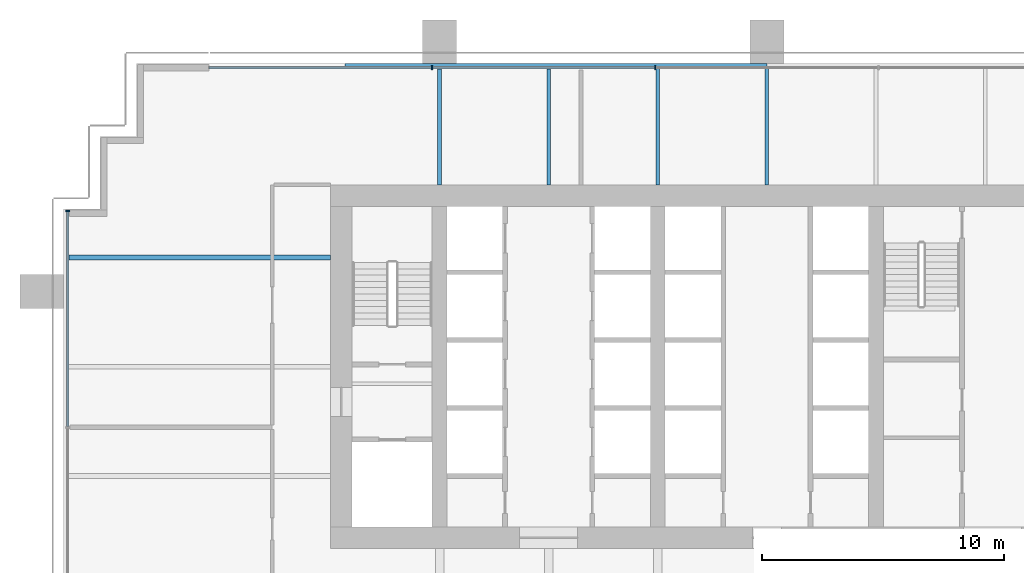
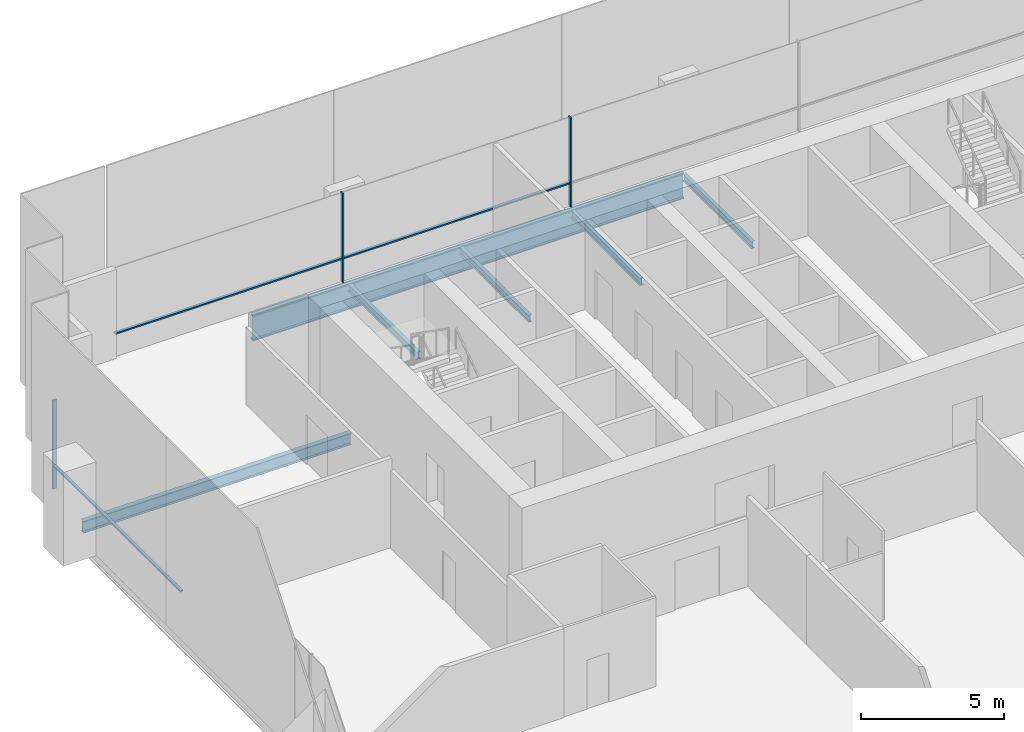
# One storey, part 7 of 16: 6 beams, 6 members, 2 elements without a shape of their own.
"""IFC4 building model written with IfcOpenShell, lengths in metres."""

from ifc_helpers import new_model, si_unit, direction, frame, origin, origin_2d, place, context, subcontext, project, spatial, rectangle, i_section, extrude, material, material_profile, profile_set, type_object, element, aggregate, save


model = new_model("IFC4")

# Units and contexts
model_context = context("Model", 3, precision=1e-05, world=origin(), true_north=direction((0.0, 1.0)))
body_context = subcontext(model_context, "Body", "Model", "MODEL_VIEW")
ifc_project = project(units=[si_unit("LENGTHUNIT", "METRE"), si_unit("AREAUNIT", "SQUARE_METRE"), si_unit("VOLUMEUNIT", "CUBIC_METRE"), si_unit("PLANEANGLEUNIT", "RADIAN"), si_unit("MASSUNIT", "GRAM", prefix="KILO")], contexts=[model_context])

# Site, building, storey
site_placement = place(None, origin())
site = spatial("IfcSite", under=ifc_project, at=site_placement, CompositionType="ELEMENT")
building_placement = place(site_placement, origin())
building = spatial("IfcBuilding", under=site, at=building_placement, Name="Rattan Terrace Tower", CompositionType="ELEMENT")
storey_placement = place(building_placement, frame((0.0, 0.0, 150.10009765625)))
storey = spatial("IfcBuildingStorey", under=building, at=storey_placement, Name="L34", CompositionType="ELEMENT", Elevation=150.10009765625)

# Curtain wall, members
ifc_material_1 = material(Name="Aluminium and glass", Category="aluminium")
curtain_wall_type = type_object("IfcCurtainWallType", Name="Facade Unitised Curtain Wall", PredefinedType="NOTDEFINED", material=ifc_material_1)
curtain_wall_1_placement = place(storey_placement, origin())
curtain_wall_1 = element("IfcCurtainWall", 1, at=curtain_wall_1_placement, inside=storey, type_object=curtain_wall_type, Name="Curtain wall L34-2", PredefinedType="NOTDEFINED")
ifc_material_2 = material(Name="Aluminium", Category="aluminium")
ifc_material_profile_1 = material_profile(ifc_material_2, rectangle(XDim=0.06005859375, YDim=0.159912109375, at=origin_2d()), Name="Aluminium 60x160")
ifc_profile_set_1 = profile_set([ifc_material_profile_1], Name="Aluminium")
member_type_1 = type_object("IfcMemberType", Name="Facade CW Mullion 60x160", PredefinedType="MULLION", material=ifc_profile_set_1)
member_1_placement = place(storey_placement, frame((-4.60302734375, 12.330078125, 0.0), z_axis=(0.0, 0.0, 1.0), x_axis=(-1.0, 0.0, 0.0)))
member_1 = element("IfcMember", 2, at=member_1_placement, type_object=member_type_1, Name="Mullion cwl-L34-002.4", PredefinedType="MULLION", context=body_context, shape_type="SweptSolid", body=[
    extrude(rectangle(XDim=0.06005859375, YDim=0.159912109375, at=origin_2d()), origin(), (0.0, 0.0, 1.0), 3.7998046875),
])
member_2_placement = place(storey_placement, frame((-13.803955078125, 12.330078125, 0.0), z_axis=(0.0, 0.0, 1.0), x_axis=(-1.0, 0.0, 0.0)))
member_2 = element("IfcMember", 3, at=member_2_placement, type_object=member_type_1, Name="Mullion cwl-L34-002.5", PredefinedType="MULLION", context=body_context, shape_type="SweptSolid", body=[
    extrude(rectangle(XDim=0.06005859375, YDim=0.159912109375, at=origin_2d()), origin(), (0.0, 0.0, 1.0), 3.7998046875),
])

# Curtain wall, member
curtain_wall_2_placement = place(storey_placement, origin())
curtain_wall_2 = element("IfcCurtainWall", 4, at=curtain_wall_2_placement, inside=storey, type_object=curtain_wall_type, Name="Curtain wall L34-3", PredefinedType="NOTDEFINED")
member_3_placement = place(storey_placement, frame((-28.830078125, 6.425048828125, 0.0), z_axis=(0.0, 0.0, 1.0), x_axis=(0.0, -1.0, 0.0)))
member_3 = element("IfcMember", 5, at=member_3_placement, type_object=member_type_1, Name="Mullion cwl-L34-003.1", PredefinedType="MULLION", context=body_context, shape_type="SweptSolid", body=[
    extrude(rectangle(XDim=0.06005859375, YDim=0.159912109375, at=origin_2d()), origin(), (0.0, 0.0, 1.0), 3.7998046875),
])

# Member
ifc_material_3 = material(Name="Aluminium", Category="aluminium")
ifc_material_profile_2 = material_profile(ifc_material_3, rectangle(XDim=0.1201171875, YDim=0.06005859375, at=origin_2d()), Name="Aluminium 120x60")
ifc_profile_set_2 = profile_set([ifc_material_profile_2], Name="Aluminium")
member_type_2 = type_object("IfcMemberType", Name="Facade CW Transom 120x60", PredefinedType="USERDEFINED", material=ifc_profile_set_2)
member_4_placement = place(storey_placement, frame((-4.633056640625, 12.330078125, 1.0), z_axis=(-1.0, 0.0, 0.0), x_axis=(0.0, -1.0, 0.0)))
member_4 = element("IfcMember", 6, at=member_4_placement, type_object=member_type_2, Name="Transom cwl-L34-002.4", ObjectType="TRANSOM", PredefinedType="USERDEFINED", context=body_context, shape_type="SweptSolid", body=[
    extrude(rectangle(XDim=0.1201171875, YDim=0.06005859375, at=origin_2d()), origin(), (0.0, 0.0, 1.0), 9.140869140625),
])

member_5_placement = place(storey_placement, frame((-13.833984375, 12.330078125, 1.0), z_axis=(-1.0, 0.0, 0.0), x_axis=(0.0, -1.0, 0.0)))
member_5 = element("IfcMember", 7, at=member_5_placement, type_object=member_type_2, Name="Transom cwl-L34-002.5", ObjectType="TRANSOM", PredefinedType="USERDEFINED", context=body_context, shape_type="SweptSolid", body=[
    extrude(rectangle(XDim=0.1201171875, YDim=0.06005859375, at=origin_2d()), origin(), (0.0, 0.0, 1.0), 9.166015625),
])

aggregate(curtain_wall_1, [member_1, member_2, member_4, member_5])

member_6_placement = place(storey_placement, frame((-28.830078125, 6.39501953125, 1.0), z_axis=(0.0, -1.0, 0.0), x_axis=(1.0, 0.0, 0.0)))
member_6 = element("IfcMember", 8, at=member_6_placement, type_object=member_type_2, Name="Transom cwl-L34-003.1", ObjectType="TRANSOM", PredefinedType="USERDEFINED", context=body_context, shape_type="SweptSolid", body=[
    extrude(rectangle(XDim=0.1201171875, YDim=0.06005859375, at=origin_2d()), origin(), (0.0, 0.0, 1.0), 8.864990234375),
])

aggregate(curtain_wall_2, [member_3, member_6])

# Beams
ifc_material_4 = material(Name="Steel S460", Category="steel")
ifc_material_profile_3 = material_profile(ifc_material_4, i_section(OverallWidth=0.179931640625, OverallDepth=1.10009765625, WebThickness=0.01611328125, FlangeThickness=0.050048828125, at=origin_2d()), Name="PG 1100x180-16-50")
ifc_profile_set_3 = profile_set([ifc_material_profile_3], Name="Steel S460")
beam_type_1 = type_object("IfcBeamType", Name="Frame edge girder PG 1100x180-16-50", PredefinedType="SPANDREL", material=ifc_profile_set_3)
beam_1_placement = place(storey_placement, frame((-17.39990234375, 12.409912109375, -0.75), z_axis=(1.0, 0.0, 0.0), x_axis=(0.0, 1.0, 0.0)))
element("IfcBeam", 9, at=beam_1_placement, inside=storey, type_object=beam_type_1, Name="gdr-L34-005", PredefinedType="SPANDREL", context=body_context, shape_type="SweptSolid", body=[
    extrude(i_section(OverallWidth=0.179931640625, OverallDepth=1.10009765625, WebThickness=0.01611328125, FlangeThickness=0.050048828125, at=origin_2d()), origin(), (0.0, 0.0, 1.0), 17.39990234375),
])
ifc_material_5 = material(Name="Steel S355", Category="steel")
ifc_material_profile_4 = material_profile(ifc_material_5, i_section(OverallWidth=0.14990234375, OverallDepth=0.300048828125, WebThickness=0.007080078125, FlangeThickness=0.0107421875, FilletRadius=0.014892578125, at=origin_2d()), Name="IPE 300")
ifc_profile_set_4 = profile_set([ifc_material_profile_4], Name="Steel S355")
beam_type_2 = type_object("IfcBeamType", Name="Frame floor beam IPE 300", PredefinedType="JOIST", material=ifc_profile_set_4)
for number, where, z_axis, x_axis, name in (
    (10, (-13.5, 7.5, -0.35009765625), (0.0, 1.0, 0.0), (-1.0, 0.0, 0.0), "bm-L34-016"),
    (11, (-9.0, 7.5, -0.35009765625), (0.0, 1.0, 0.0), (-1.0, 0.0, 0.0), "bm-L34-017"),
    (12, (-4.5, 7.5, -0.35009765625), (0.0, 1.0, 0.0), (-1.0, 0.0, 0.0), "bm-L34-018"),
    (13, (0.0, 7.5, -0.35009765625), (0.0, 1.0, 0.0), (-1.0, 0.0, 0.0), "bm-L34-019"),
):
    element("IfcBeam", number, at=place(storey_placement, frame(where, z_axis=z_axis, x_axis=x_axis)), inside=storey, type_object=beam_type_2, Name=name, PredefinedType="JOIST", context=body_context, shape_type="SweptSolid", body=[
        extrude(i_section(OverallWidth=0.14990234375, OverallDepth=0.300048828125, WebThickness=0.007080078125, FlangeThickness=0.0107421875, FilletRadius=0.014892578125, at=origin_2d()), origin(), (0.0, 0.0, 1.0), 4.820068359375),
    ])
ifc_material_6 = material(Name="Steel S355", Category="steel")
ifc_material_profile_5 = material_profile(ifc_material_6, i_section(OverallWidth=0.199951171875, OverallDepth=0.5, WebThickness=0.01025390625, FlangeThickness=0.01611328125, FilletRadius=0.02099609375, at=origin_2d()), Name="IPE 500")
ifc_profile_set_5 = profile_set([ifc_material_profile_5], Name="Steel S355")
beam_type_3 = type_object("IfcBeamType", Name="Frame floor beam IPE 500", PredefinedType="JOIST", material=ifc_profile_set_5)
beam_2_placement = place(storey_placement, frame((-28.820068359375, 4.5, -0.4501953125), z_axis=(1.0, 0.0, 0.0), x_axis=(0.0, 1.0, 0.0)))
element("IfcBeam", 14, at=beam_2_placement, inside=storey, type_object=beam_type_3, Name="bm-L34-014", PredefinedType="JOIST", context=body_context, shape_type="SweptSolid", body=[
    extrude(i_section(OverallWidth=0.199951171875, OverallDepth=0.5, WebThickness=0.01025390625, FlangeThickness=0.01611328125, FilletRadius=0.02099609375, at=origin_2d()), origin(), (0.0, 0.0, 1.0), 10.820068359375),
])

save(model, "model.ifc")
